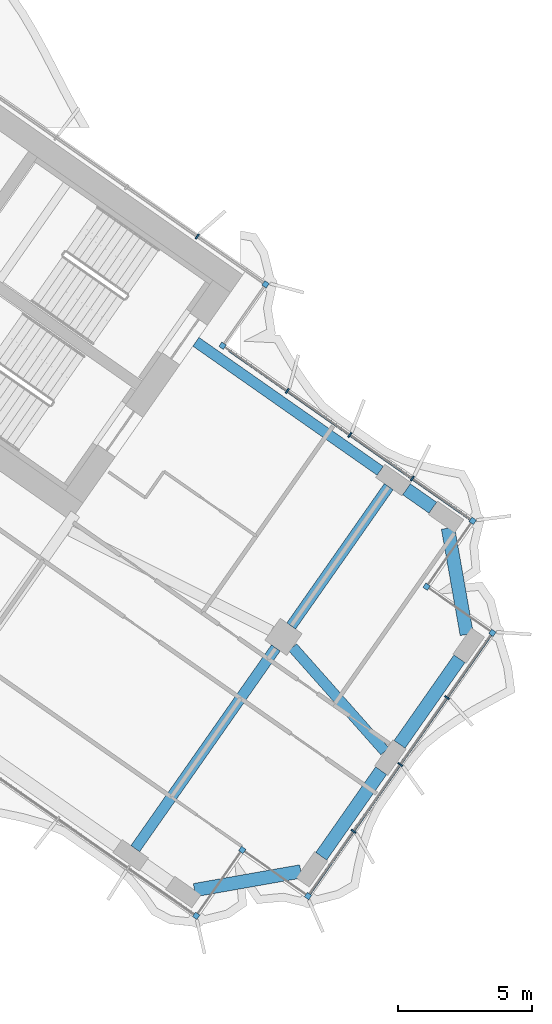
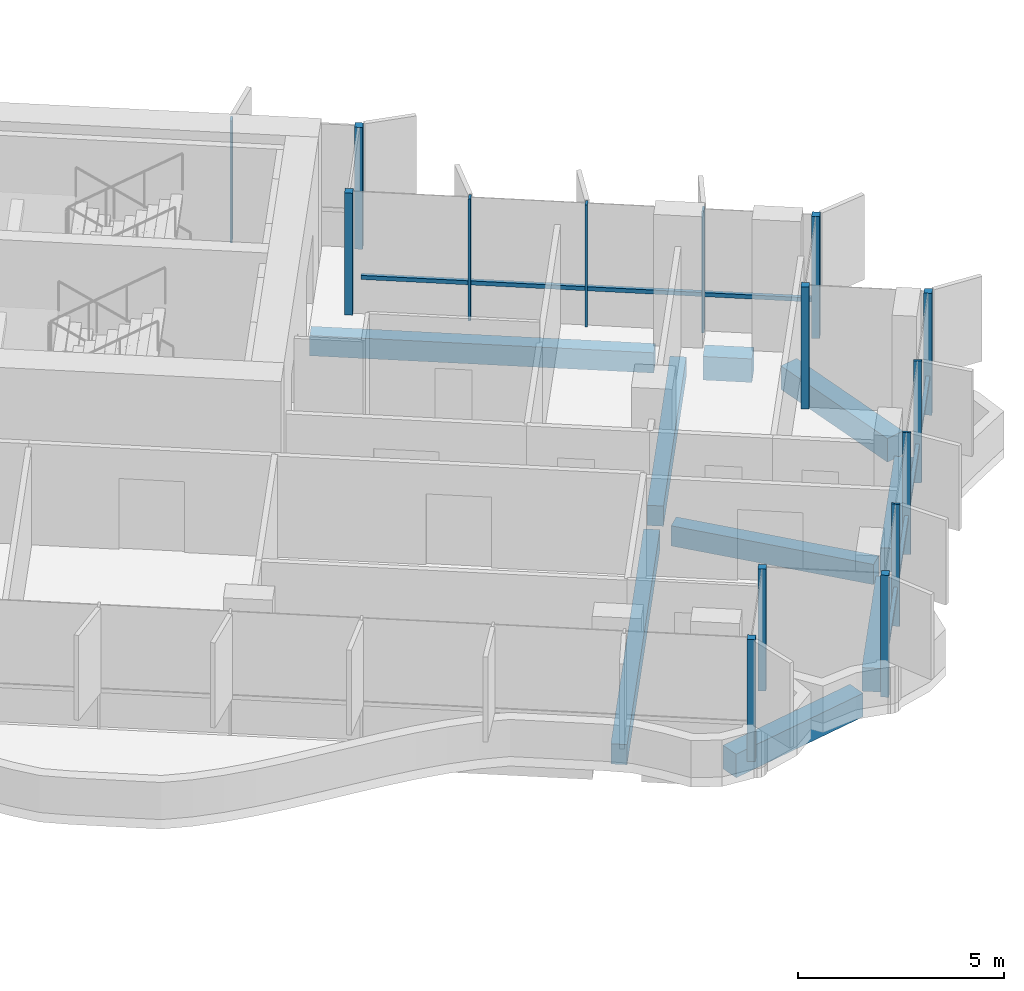
# One storey, part 11 of 24: 17 members, 9 beams, 2 elements without a shape of their own.
"""IFC4 building model written with IfcOpenShell, lengths in metres."""

from ifc_helpers import new_model, si_unit, direction, frame, origin, origin_2d, place, context, subcontext, project, spatial, rectangle, extrude, material, material_profile, profile_set, type_object, element, aggregate, save


model = new_model("IFC4")

# Units and contexts
model_context = context("Model", 3, precision=1e-05, world=origin(), true_north=direction((0.0, 1.0)))
body_context = subcontext(model_context, "Body", "Model", "MODEL_VIEW")
ifc_project = project(units=[si_unit("LENGTHUNIT", "METRE"), si_unit("AREAUNIT", "SQUARE_METRE"), si_unit("VOLUMEUNIT", "CUBIC_METRE"), si_unit("PLANEANGLEUNIT", "RADIAN"), si_unit("MASSUNIT", "GRAM", prefix="KILO")], contexts=[model_context])

# Site, building, storey
site_placement = place(None, origin())
site = spatial("IfcSite", under=ifc_project, at=site_placement, CompositionType="ELEMENT")
building_placement = place(site_placement, origin())
building = spatial("IfcBuilding", under=site, at=building_placement, Name="Tel Ilan Convention Tower", CompositionType="ELEMENT")
storey_placement = place(building_placement, frame((0.0, 0.0, 167.10009765625)))
storey = spatial("IfcBuildingStorey", under=building, at=storey_placement, Name="L38", CompositionType="ELEMENT", Elevation=167.10009765625)

# Beams
ifc_material_1 = material(Name="Concrete C40/50", Category="concrete")
ifc_material_profile_1 = material_profile(ifc_material_1, rectangle(XDim=0.39990234375, YDim=0.60009765625, at=origin_2d()), Name="RC 400x600")
ifc_profile_set_1 = profile_set([ifc_material_profile_1], Name="Concrete C40/50")
beam_type_1 = type_object("IfcBeamType", Name="Beam RC 400x600 Concrete C40/50", PredefinedType="BEAM", material=ifc_profile_set_1)
beam_1_placement = place(storey_placement, frame((33.09912109375, -14.44775390625, -0.580078125), z_axis=(-0.819147254605, 0.573583276668, 0.0), x_axis=(-0.573583276668, -0.819147254605, 0.0)))
element("IfcBeam", 1, at=beam_1_placement, inside=storey, type_object=beam_type_1, Name="L38 beam E-E-B4-core", PredefinedType="BEAM", context=body_context, shape_type="SweptSolid", body=[
    extrude(rectangle(XDim=0.39990234375, YDim=0.60009765625, at=origin_2d()), origin(), (0.0, 0.0, 1.0), 8.400146484375),
])
beam_2_placement = place(storey_placement, frame((29.830322265625, -21.03369140625, -0.580078125), z_axis=(0.663175252401, -0.748464150512, 0.0), x_axis=(0.748464150512, 0.663175252401, 0.0)))
element("IfcBeam", 2, at=beam_2_placement, inside=storey, type_object=beam_type_1, Name="L38 beam E-E-M4-end", PredefinedType="BEAM", context=body_context, shape_type="SweptSolid", body=[
    extrude(rectangle(XDim=0.39990234375, YDim=0.60009765625, at=origin_2d()), origin(), (0.0, 0.0, 1.0), 5.192626953125),
])
beam_3_placement = place(storey_placement, frame((29.20263671875, -21.058349609375, -0.580078125), z_axis=(-0.573557249804, -0.819165478519, 0.0), x_axis=(0.819165478519, -0.573557249804, 0.0)))
element("IfcBeam", 3, at=beam_3_placement, inside=storey, type_object=beam_type_1, Name="L38 beam E-E-M4-E-F4", PredefinedType="BEAM", context=body_context, shape_type="SweptSolid", body=[
    extrude(rectangle(XDim=0.39990234375, YDim=0.60009765625, at=origin_2d()), origin(), (0.0, 0.0, 1.0), 9.14990234375),
])
beam_4_placement = place(storey_placement, frame((29.7763671875, -20.2392578125, -0.580078125), z_axis=(0.573560394383, 0.819163276762, 0.0), x_axis=(-0.819163276762, 0.573560394383, 0.0)))
element("IfcBeam", 4, at=beam_4_placement, inside=storey, type_object=beam_type_1, Name="L38 beam E-E-M4-E-B4", PredefinedType="BEAM", context=body_context, shape_type="SweptSolid", body=[
    extrude(rectangle(XDim=0.39990234375, YDim=0.60009765625, at=origin_2d()), origin(), (0.0, 0.0, 1.0), 6.349853515625),
])
ifc_material_2 = material(Name="Concrete C40/50", Category="concrete")
ifc_material_profile_2 = material_profile(ifc_material_2, rectangle(XDim=0.5, YDim=0.699951171875, at=origin_2d()), Name="RC 500x700")
ifc_profile_set_2 = profile_set([ifc_material_profile_2], Name="Concrete C40/50")
beam_type_2 = type_object("IfcBeamType", Name="Beam RC 500x700 Concrete C40/50", PredefinedType="BEAM", material=ifc_profile_set_2)
beam_5_placement = place(storey_placement, frame((26.166259765625, -30.102294921875, -0.630126953125), z_axis=(0.984804894423, 0.173664388751, 0.0), x_axis=(-0.173664388751, 0.984804894423, 0.0)))
element("IfcBeam", 5, at=beam_5_placement, inside=storey, type_object=beam_type_2, Name="L38 beam E-E-FC-E-E1", PredefinedType="BEAM", context=body_context, shape_type="SweptSolid", body=[
    extrude(rectangle(XDim=0.5, YDim=0.699951171875, at=origin_2d()), origin(), (0.0, 0.0, 1.0), 4.030517578125),
])
for number, where, z_axis, x_axis, name in (
    (6, (30.8974609375, -28.837158203125, -0.630126953125), (0.573609383536, 0.819128973434, 0.0), (-0.819128973434, 0.573609383536, 0.0), "L38 beam E-E-E1-E-E2"),
    (7, (33.82275390625, -24.659423828125, -0.630126953125), (0.573567378001, 0.81915838694, 0.0), (-0.81915838694, 0.573567378001, 0.0), "L38 beam E-E-E2-E-E3"),
):
    element("IfcBeam", number, at=place(storey_placement, frame(where, z_axis=z_axis, x_axis=x_axis)), inside=storey, type_object=beam_type_2, Name=name, PredefinedType="BEAM", context=body_context, shape_type="SweptSolid", body=[
        extrude(rectangle(XDim=0.5, YDim=0.699951171875, at=origin_2d()), origin(), (0.0, 0.0, 1.0), 3.89990234375),
    ])
beam_6_placement = place(storey_placement, frame((36.330078125, -20.555419921875, -0.630126953125), z_axis=(-0.173664388751, 0.984804894423, 0.0), x_axis=(-0.984804894423, -0.173664388751, 0.0)))
element("IfcBeam", 8, at=beam_6_placement, inside=storey, type_object=beam_type_2, Name="L38 beam E-E-E3-E-BC", PredefinedType="BEAM", context=body_context, shape_type="SweptSolid", body=[
    extrude(rectangle(XDim=0.5, YDim=0.699951171875, at=origin_2d()), origin(), (0.0, 0.0, 1.0), 4.030517578125),
])
beam_7_placement = place(storey_placement, frame((35.06494140625, -15.82421875, -0.630126953125), z_axis=(-0.819155442668, 0.573571582932, 0.0), x_axis=(-0.573571582932, -0.819155442668, 0.0)))
element("IfcBeam", 9, at=beam_7_placement, inside=storey, type_object=beam_type_2, Name="L38 beam E-E-BC-E-B4", PredefinedType="BEAM", context=body_context, shape_type="SweptSolid", body=[
    extrude(rectangle(XDim=0.5, YDim=0.699951171875, at=origin_2d()), origin(), (0.0, 0.0, 1.0), 1.199951171875),
])

# Curtain wall, members
ifc_material_3 = material(Name="Aluminium, bronze anodised", Category="aluminium")
curtain_wall_type_1 = type_object("IfcCurtainWallType", Name="CW2 STICK CURTAIN WALL, SPANDREL PANELS", PredefinedType="NOTDEFINED", material=ifc_material_3)
curtain_wall_1_placement = place(storey_placement, origin())
curtain_wall_1 = element("IfcCurtainWall", 10, at=curtain_wall_1_placement, inside=storey, type_object=curtain_wall_type_1, Name="Curtain wall CW2-30.01", PredefinedType="NOTDEFINED")
ifc_material_4 = material(Name="Aluminium, bronze anodised", Category="aluminium")
ifc_material_profile_3 = material_profile(ifc_material_4, rectangle(XDim=0.199951171875, YDim=0.199951171875, at=origin_2d()), Name="CW CORNER MULLION 200x200")
ifc_profile_set_3 = profile_set([ifc_material_profile_3], Name="Aluminium, bronze anodised")
member_type_1 = type_object("IfcMemberType", Name="CW CORNER MULLION 200x200", PredefinedType="MULLION", material=ifc_profile_set_3)
member_1_placement = place(storey_placement, frame((27.213623046875, -9.77734375, 0.0), z_axis=(0.0, 0.0, 1.0), x_axis=(-0.819152044289, 0.573576436351, 0.0)))
member_1 = element("IfcMember", 11, at=member_1_placement, type_object=member_type_1, Name="Corner mullion", PredefinedType="MULLION", context=body_context, shape_type="SweptSolid", body=[
    extrude(rectangle(XDim=0.199951171875, YDim=0.199951171875, at=origin_2d()), origin(), (0.0, 0.0, 1.0), 3.619873046875),
])
member_2_placement = place(storey_placement, frame((28.819580078125, -7.483642578125, 0.0), z_axis=(0.0, 0.0, 1.0), x_axis=(0.573576436351, 0.819152044289, 0.0)))
member_2 = element("IfcMember", 12, at=member_2_placement, type_object=member_type_1, Name="Corner mullion", PredefinedType="MULLION", context=body_context, shape_type="SweptSolid", body=[
    extrude(rectangle(XDim=0.199951171875, YDim=0.199951171875, at=origin_2d()), origin(), (0.0, 0.0, 1.0), 3.619873046875),
])

ifc_material_5 = material(Name="Aluminium, bronze anodised", Category="aluminium")
curtain_wall_type_2 = type_object("IfcCurtainWallType", Name="CW4 STICK CURTAIN WALL, OFFICE TINTED GLASS", PredefinedType="NOTDEFINED", material=ifc_material_5)
curtain_wall_2_placement = place(storey_placement, origin())
curtain_wall_2 = element("IfcCurtainWall", 13, at=curtain_wall_2_placement, inside=storey, type_object=curtain_wall_type_2, Name="Curtain wall CW4-30.04", PredefinedType="NOTDEFINED")
member_3_placement = place(storey_placement, frame((26.2275390625, -31.060791015625, 0.0), z_axis=(0.0, 0.0, 1.0), x_axis=(0.819152044289, -0.573576436351, 0.0)))
member_3 = element("IfcMember", 14, at=member_3_placement, type_object=member_type_1, Name="Corner mullion", PredefinedType="MULLION", context=body_context, shape_type="SweptSolid", body=[
    extrude(rectangle(XDim=0.199951171875, YDim=0.199951171875, at=origin_2d()), origin(), (0.0, 0.0, 1.0), 3.619873046875),
])
member_4_placement = place(storey_placement, frame((27.9482421875, -28.603271484375, 0.0), z_axis=(0.0, 0.0, 1.0), x_axis=(0.573576436351, 0.819152044289, 0.0)))
member_4 = element("IfcMember", 15, at=member_4_placement, type_object=member_type_1, Name="Corner mullion", PredefinedType="MULLION", context=body_context, shape_type="SweptSolid", body=[
    extrude(rectangle(XDim=0.199951171875, YDim=0.199951171875, at=origin_2d()), origin(), (0.0, 0.0, 1.0), 3.619873046875),
])
member_5_placement = place(storey_placement, frame((30.40576171875, -30.323974609375, 0.0), z_axis=(0.0, 0.0, 1.0), x_axis=(0.819152044289, -0.573576436351, 0.0)))
member_5 = element("IfcMember", 16, at=member_5_placement, type_object=member_type_1, Name="Corner mullion", PredefinedType="MULLION", context=body_context, shape_type="SweptSolid", body=[
    extrude(rectangle(XDim=0.199951171875, YDim=0.199951171875, at=origin_2d()), origin(), (0.0, 0.0, 1.0), 3.619873046875),
])
member_6_placement = place(storey_placement, frame((37.28857421875, -20.494140625, 0.0), z_axis=(0.0, 0.0, 1.0), x_axis=(0.573576436351, 0.819152044289, 0.0)))
member_6 = element("IfcMember", 17, at=member_6_placement, type_object=member_type_1, Name="Corner mullion", PredefinedType="MULLION", context=body_context, shape_type="SweptSolid", body=[
    extrude(rectangle(XDim=0.199951171875, YDim=0.199951171875, at=origin_2d()), origin(), (0.0, 0.0, 1.0), 3.619873046875),
])
member_7_placement = place(storey_placement, frame((34.8310546875, -18.7734375, 0.0), z_axis=(0.0, 0.0, 1.0), x_axis=(-0.819152044289, 0.573576436351, 0.0)))
member_7 = element("IfcMember", 18, at=member_7_placement, type_object=member_type_1, Name="Corner mullion", PredefinedType="MULLION", context=body_context, shape_type="SweptSolid", body=[
    extrude(rectangle(XDim=0.199951171875, YDim=0.199951171875, at=origin_2d()), origin(), (0.0, 0.0, 1.0), 3.619873046875),
])
member_8_placement = place(storey_placement, frame((36.5517578125, -16.31591796875, 0.0), z_axis=(0.0, 0.0, 1.0), x_axis=(0.573576436351, 0.819152044289, 0.0)))
member_8 = element("IfcMember", 19, at=member_8_placement, type_object=member_type_1, Name="Corner mullion", PredefinedType="MULLION", context=body_context, shape_type="SweptSolid", body=[
    extrude(rectangle(XDim=0.199951171875, YDim=0.199951171875, at=origin_2d()), origin(), (0.0, 0.0, 1.0), 3.619873046875),
])

# Member
ifc_material_6 = material(Name="Aluminium, bronze anodised", Category="aluminium")
ifc_material_profile_4 = material_profile(ifc_material_6, rectangle(XDim=0.06005859375, YDim=0.199951171875, at=origin_2d()), Name="CW MULLION 60x200")
ifc_profile_set_4 = profile_set([ifc_material_profile_4], Name="Aluminium, bronze anodised")
member_type_2 = type_object("IfcMemberType", Name="CW MULLION 60x200", PredefinedType="MULLION", material=ifc_profile_set_4)
member_9_placement = place(storey_placement, frame((26.268798828125, -5.697509765625, 0.0), z_axis=(0.0, 0.0, 1.0), x_axis=(-0.819152044289, 0.573576436351, 0.0)))
member_9 = element("IfcMember", 20, at=member_9_placement, type_object=member_type_2, Name="Mullion", PredefinedType="MULLION", context=body_context, shape_type="SweptSolid", body=[
    extrude(rectangle(XDim=0.06005859375, YDim=0.199951171875, at=origin_2d()), origin(), (0.0, 0.0, 1.0), 3.619873046875),
])

aggregate(curtain_wall_1, [member_1, member_2, member_9])

member_10_placement = place(storey_placement, frame((32.09765625, -27.907470703125, 0.0), z_axis=(0.0, 0.0, 1.0), x_axis=(0.573576436351, 0.819152044289, 0.0)))
member_10 = element("IfcMember", 21, at=member_10_placement, type_object=member_type_2, Name="Mullion", PredefinedType="MULLION", context=body_context, shape_type="SweptSolid", body=[
    extrude(rectangle(XDim=0.06005859375, YDim=0.199951171875, at=origin_2d()), origin(), (0.0, 0.0, 1.0), 3.619873046875),
])

member_11_placement = place(storey_placement, frame((33.84716796875, -25.4091796875, 0.0), z_axis=(0.0, 0.0, 1.0), x_axis=(0.573576436351, 0.819152044289, 0.0)))
member_11 = element("IfcMember", 22, at=member_11_placement, type_object=member_type_2, Name="Mullion", PredefinedType="MULLION", context=body_context, shape_type="SweptSolid", body=[
    extrude(rectangle(XDim=0.06005859375, YDim=0.199951171875, at=origin_2d()), origin(), (0.0, 0.0, 1.0), 3.619873046875),
])

member_12_placement = place(storey_placement, frame((35.596435546875, -22.91064453125, 0.0), z_axis=(0.0, 0.0, 1.0), x_axis=(0.573576436351, 0.819152044289, 0.0)))
member_12 = element("IfcMember", 23, at=member_12_placement, type_object=member_type_2, Name="Mullion", PredefinedType="MULLION", context=body_context, shape_type="SweptSolid", body=[
    extrude(rectangle(XDim=0.06005859375, YDim=0.199951171875, at=origin_2d()), origin(), (0.0, 0.0, 1.0), 3.619873046875),
])

member_13_placement = place(storey_placement, frame((34.299072265625, -14.73876953125, 0.0), z_axis=(0.0, 0.0, 1.0), x_axis=(-0.819152044289, 0.573576436351, 0.0)))
member_13 = element("IfcMember", 24, at=member_13_placement, type_object=member_type_2, Name="Mullion", PredefinedType="MULLION", context=body_context, shape_type="SweptSolid", body=[
    extrude(rectangle(XDim=0.06005859375, YDim=0.199951171875, at=origin_2d()), origin(), (0.0, 0.0, 1.0), 3.619873046875),
])

member_14_placement = place(storey_placement, frame((31.964599609375, -13.10400390625, 0.0), z_axis=(0.0, 0.0, 1.0), x_axis=(-0.819152044289, 0.573576436351, 0.0)))
member_14 = element("IfcMember", 25, at=member_14_placement, type_object=member_type_2, Name="Mullion", PredefinedType="MULLION", context=body_context, shape_type="SweptSolid", body=[
    extrude(rectangle(XDim=0.06005859375, YDim=0.199951171875, at=origin_2d()), origin(), (0.0, 0.0, 1.0), 3.619873046875),
])

member_15_placement = place(storey_placement, frame((29.630126953125, -11.46923828125, 0.0), z_axis=(0.0, 0.0, 1.0), x_axis=(-0.819152044289, 0.573576436351, 0.0)))
member_15 = element("IfcMember", 26, at=member_15_placement, type_object=member_type_2, Name="Mullion", PredefinedType="MULLION", context=body_context, shape_type="SweptSolid", body=[
    extrude(rectangle(XDim=0.06005859375, YDim=0.199951171875, at=origin_2d()), origin(), (0.0, 0.0, 1.0), 3.619873046875),
])

ifc_material_7 = material(Name="Aluminium, bronze anodised", Category="aluminium")
ifc_material_profile_5 = material_profile(ifc_material_7, rectangle(XDim=0.10009765625, YDim=0.1201171875, at=origin_2d()), Name="CW TRANSOM 100x120")
ifc_profile_set_5 = profile_set([ifc_material_profile_5], Name="Aluminium, bronze anodised")
member_type_3 = type_object("IfcMemberType", Name="CW TRANSOM 100x120", PredefinedType="USERDEFINED", material=ifc_profile_set_5)
member_16_placement = place(storey_placement, frame((30.463134765625, -30.2421875, 1.099853515625), z_axis=(0.573567872435, 0.819158040741, 0.0), x_axis=(-0.819158040741, 0.573567872435, 0.0)))
member_16 = element("IfcMember", 27, at=member_16_placement, type_object=member_type_3, Name="Transom", ObjectType="TRANSOM", PredefinedType="USERDEFINED", context=body_context, shape_type="SweptSolid", body=[
    extrude(rectangle(XDim=0.10009765625, YDim=0.1201171875, at=origin_2d()), origin(), (0.0, 0.0, 1.0), 11.800048828125),
])

member_17_placement = place(storey_placement, frame((36.469970703125, -16.258544921875, 1.099853515625), z_axis=(-0.819154753687, 0.57357256691, 0.0), x_axis=(-0.57357256691, -0.819154753687, 0.0)))
member_17 = element("IfcMember", 28, at=member_17_placement, type_object=member_type_3, Name="Transom", ObjectType="TRANSOM", PredefinedType="USERDEFINED", context=body_context, shape_type="SweptSolid", body=[
    extrude(rectangle(XDim=0.10009765625, YDim=0.1201171875, at=origin_2d()), origin(), (0.0, 0.0, 1.0), 11.0),
])

aggregate(curtain_wall_2, [member_3, member_4, member_5, member_10, member_11, member_12, member_6, member_16, member_7, member_8, member_13, member_14, member_15, member_17])

save(model, "model.ifc")
